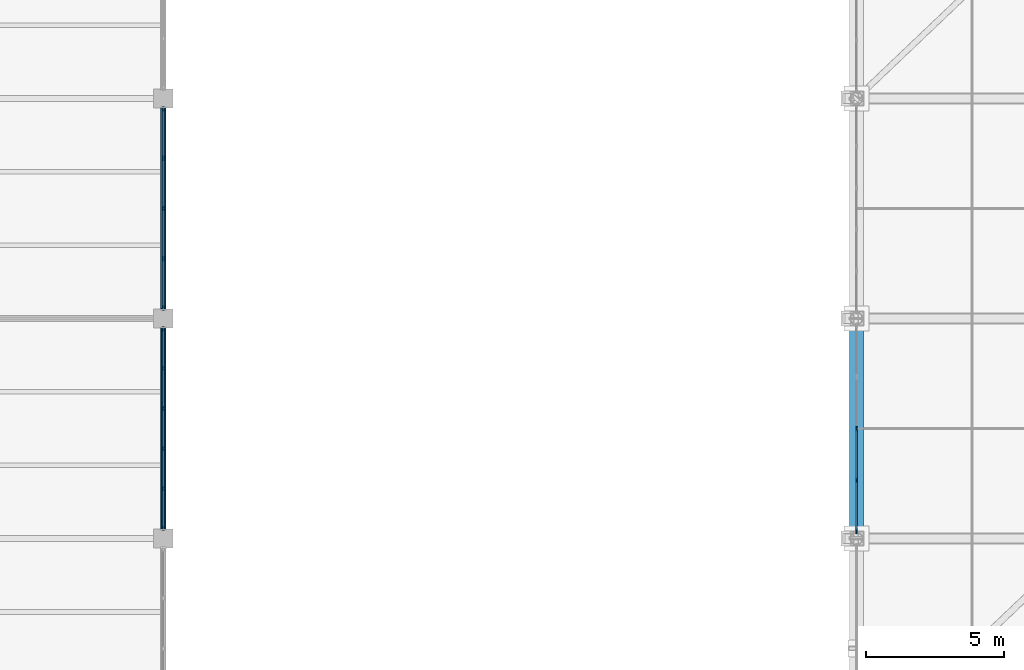
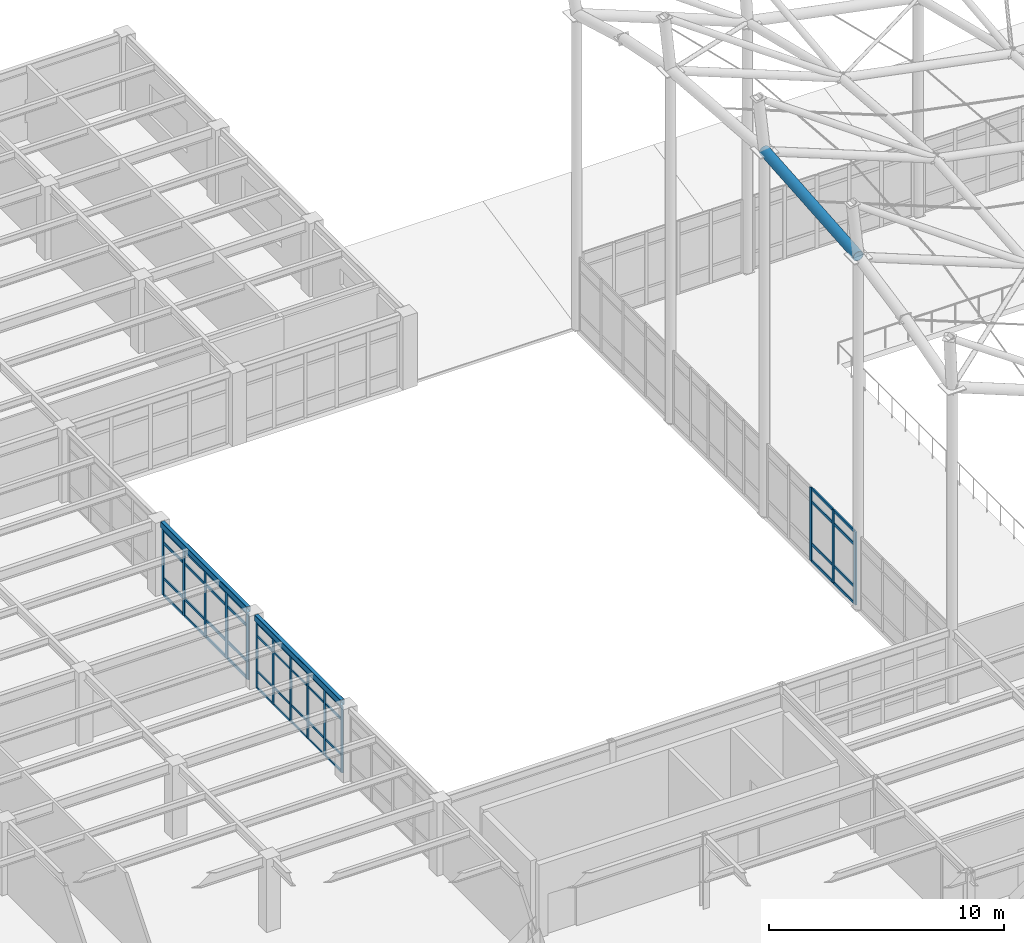
# One storey, part 38 of 138: 58 members, 3 beams, 3 elements without a shape of their own.
"""IFC4 building model written with IfcOpenShell, lengths in metres."""

from ifc_helpers import new_model, si_unit, direction, frame, origin, origin_2d, place, context, subcontext, project, spatial, rectangle, hollow_rectangle, hollow_circle, extrude, material, layer, layer_set, material_profile, profile_set, type_object, element, aggregate, save


model = new_model("IFC4")

# Units and contexts
model_context = context("Model", 3, precision=1e-05, world=origin(), true_north=direction((0.0, 1.0)))
body_context = subcontext(model_context, "Body", "Model", "MODEL_VIEW")
ifc_project = project(units=[si_unit("LENGTHUNIT", "METRE"), si_unit("AREAUNIT", "SQUARE_METRE"), si_unit("VOLUMEUNIT", "CUBIC_METRE"), si_unit("PLANEANGLEUNIT", "RADIAN"), si_unit("MASSUNIT", "GRAM", prefix="KILO")], contexts=[model_context])

# Site, building, storey
site_placement = place(None, origin())
site = spatial("IfcSite", under=ifc_project, at=site_placement, CompositionType="ELEMENT")
building_placement = place(site_placement, origin())
building = spatial("IfcBuilding", under=site, at=building_placement, Name="Kranzveld Transit Interchange", CompositionType="ELEMENT")
storey_placement = place(building_placement, frame((0.0, 0.0, 5.43994140625)))
storey = spatial("IfcBuildingStorey", under=building, at=storey_placement, Name="L01", CompositionType="ELEMENT", Elevation=5.43994140625)

# Curtain wall, members
ifc_material_1 = material(Name="Bronze-anodised thermally broken aluminium", Category="aluminium")
ifc_layer_1 = layer(ifc_material_1, 0.14990234375)
ifc_layer_set_1 = layer_set([ifc_layer_1], Name="Bronze-anodised thermally broken aluminium")
curtain_wall_type_1 = type_object("IfcCurtainWallType", Name="Public Passage Clerestory Screen CW-4", PredefinedType="USERDEFINED", material=ifc_layer_set_1)
curtain_wall_1_placement = place(storey_placement, origin())
curtain_wall_1 = element("IfcCurtainWall", 1, at=curtain_wall_1_placement, inside=storey, type_object=curtain_wall_type_1, Name="L01 Curtain Wall 05/J-05/K", ObjectType="CURTAIN WALL", PredefinedType="USERDEFINED")
ifc_material_2 = material(Name="Bronze-anodised thermally broken aluminium", Category="aluminium")
ifc_material_profile_1 = material_profile(ifc_material_2, rectangle(XDim=0.06005859375, YDim=0.14990234375, at=origin_2d()), Name="ALU MULLION 60x150")
ifc_profile_set_1 = profile_set([ifc_material_profile_1], Name="Bronze-anodised thermally broken aluminium")
member_type_1 = type_object("IfcMemberType", Name="Curtain Wall Mullion 60x150 Alu", PredefinedType="MULLION", material=ifc_profile_set_1)
member_1_placement = place(storey_placement, frame((33.60009765625, 64.3798828125, 0.0), z_axis=(0.0, 0.0, 1.0), x_axis=(-1.0, 0.0, 0.0)))
member_1 = element("IfcMember", 2, at=member_1_placement, type_object=member_type_1, Name="CW-4 mullion 1", PredefinedType="MULLION", context=body_context, shape_type="SweptSolid", body=[
    extrude(rectangle(XDim=0.06005859375, YDim=0.14990234375, at=origin_2d()), origin(), (0.0, 0.0, 1.0), 3.442138671875),
])
member_2_placement = place(storey_placement, frame((33.60009765625, 65.81005859375, 0.0), z_axis=(0.0, 0.0, 1.0), x_axis=(-1.0, 0.0, 0.0)))
member_2 = element("IfcMember", 3, at=member_2_placement, type_object=member_type_1, Name="CW-4 mullion 2", PredefinedType="MULLION", context=body_context, shape_type="SweptSolid", body=[
    extrude(rectangle(XDim=0.06005859375, YDim=0.14990234375, at=origin_2d()), origin(), (0.0, 0.0, 1.0), 3.442138671875),
])
member_3_placement = place(storey_placement, frame((33.60009765625, 67.27001953125, 0.0), z_axis=(0.0, 0.0, 1.0), x_axis=(-1.0, 0.0, 0.0)))
member_3 = element("IfcMember", 4, at=member_3_placement, type_object=member_type_1, Name="CW-4 mullion 3", PredefinedType="MULLION", context=body_context, shape_type="SweptSolid", body=[
    extrude(rectangle(XDim=0.06005859375, YDim=0.14990234375, at=origin_2d()), origin(), (0.0, 0.0, 1.0), 3.442138671875),
])
member_4_placement = place(storey_placement, frame((33.60009765625, 68.72998046875, 0.0), z_axis=(0.0, 0.0, 1.0), x_axis=(-1.0, 0.0, 0.0)))
member_4 = element("IfcMember", 5, at=member_4_placement, type_object=member_type_1, Name="CW-4 mullion 4", PredefinedType="MULLION", context=body_context, shape_type="SweptSolid", body=[
    extrude(rectangle(XDim=0.06005859375, YDim=0.14990234375, at=origin_2d()), origin(), (0.0, 0.0, 1.0), 3.442138671875),
])
member_5_placement = place(storey_placement, frame((33.60009765625, 70.18994140625, 0.0), z_axis=(0.0, 0.0, 1.0), x_axis=(-1.0, 0.0, 0.0)))
member_5 = element("IfcMember", 6, at=member_5_placement, type_object=member_type_1, Name="CW-4 mullion 5", PredefinedType="MULLION", context=body_context, shape_type="SweptSolid", body=[
    extrude(rectangle(XDim=0.06005859375, YDim=0.14990234375, at=origin_2d()), origin(), (0.0, 0.0, 1.0), 3.442138671875),
])
member_6_placement = place(storey_placement, frame((33.60009765625, 71.6201171875, 0.0), z_axis=(0.0, 0.0, 1.0), x_axis=(-1.0, 0.0, 0.0)))
member_6 = element("IfcMember", 7, at=member_6_placement, type_object=member_type_1, Name="CW-4 mullion 6", PredefinedType="MULLION", context=body_context, shape_type="SweptSolid", body=[
    extrude(rectangle(XDim=0.06005859375, YDim=0.14990234375, at=origin_2d()), origin(), (0.0, 0.0, 1.0), 3.442138671875),
])

ifc_material_3 = material(Name="Bronze-anodised thermally broken aluminium", Category="aluminium")
ifc_layer_2 = layer(ifc_material_3, 0.18505859375)
ifc_layer_set_2 = layer_set([ifc_layer_2], Name="Bronze-anodised thermally broken aluminium")
curtain_wall_type_2 = type_object("IfcCurtainWallType", Name="Control Crown Observation Facade CW-5", PredefinedType="USERDEFINED", material=ifc_layer_set_2)
curtain_wall_2_placement = place(storey_placement, origin())
curtain_wall_2 = element("IfcCurtainWall", 8, at=curtain_wall_2_placement, inside=storey, type_object=curtain_wall_type_2, Name="L01 Curtain Wall 05/K-05/L", ObjectType="CURTAIN WALL", PredefinedType="USERDEFINED")
ifc_material_4 = material(Name="Bronze-anodised thermally broken aluminium", Category="aluminium")
ifc_material_profile_2 = material_profile(ifc_material_4, rectangle(XDim=0.06494140625, YDim=0.179931640625, at=origin_2d()), Name="ALU MULLION 65x180")
ifc_profile_set_2 = profile_set([ifc_material_profile_2], Name="Bronze-anodised thermally broken aluminium")
member_type_2 = type_object("IfcMemberType", Name="Curtain Wall Mullion 65x180 Alu", PredefinedType="MULLION", material=ifc_profile_set_2)
member_7_placement = place(storey_placement, frame((33.60009765625, 72.382568359375, 0.0), z_axis=(0.0, 0.0, 1.0), x_axis=(-1.0, 0.0, 0.0)))
member_7 = element("IfcMember", 9, at=member_7_placement, type_object=member_type_2, Name="CW-5 mullion 1", PredefinedType="MULLION", context=body_context, shape_type="SweptSolid", body=[
    extrude(rectangle(XDim=0.06494140625, YDim=0.179931640625, at=origin_2d()), origin(), (0.0, 0.0, 1.0), 3.442138671875),
])
member_8_placement = place(storey_placement, frame((33.60009765625, 74.175048828125, 0.0), z_axis=(0.0, 0.0, 1.0), x_axis=(-1.0, 0.0, 0.0)))
member_8 = element("IfcMember", 10, at=member_8_placement, type_object=member_type_2, Name="CW-5 mullion 2", PredefinedType="MULLION", context=body_context, shape_type="SweptSolid", body=[
    extrude(rectangle(XDim=0.06494140625, YDim=0.179931640625, at=origin_2d()), origin(), (0.0, 0.0, 1.0), 3.442138671875),
])
member_9_placement = place(storey_placement, frame((33.60009765625, 76.0, 0.0), z_axis=(0.0, 0.0, 1.0), x_axis=(-1.0, 0.0, 0.0)))
member_9 = element("IfcMember", 11, at=member_9_placement, type_object=member_type_2, Name="CW-5 mullion 3", PredefinedType="MULLION", context=body_context, shape_type="SweptSolid", body=[
    extrude(rectangle(XDim=0.06494140625, YDim=0.179931640625, at=origin_2d()), origin(), (0.0, 0.0, 1.0), 3.442138671875),
])
member_10_placement = place(storey_placement, frame((33.60009765625, 77.824951171875, 0.0), z_axis=(0.0, 0.0, 1.0), x_axis=(-1.0, 0.0, 0.0)))
member_10 = element("IfcMember", 12, at=member_10_placement, type_object=member_type_2, Name="CW-5 mullion 4", PredefinedType="MULLION", context=body_context, shape_type="SweptSolid", body=[
    extrude(rectangle(XDim=0.06494140625, YDim=0.179931640625, at=origin_2d()), origin(), (0.0, 0.0, 1.0), 3.442138671875),
])
member_11_placement = place(storey_placement, frame((33.60009765625, 79.617431640625, 0.0), z_axis=(0.0, 0.0, 1.0), x_axis=(-1.0, 0.0, 0.0)))
member_11 = element("IfcMember", 13, at=member_11_placement, type_object=member_type_2, Name="CW-5 mullion 5", PredefinedType="MULLION", context=body_context, shape_type="SweptSolid", body=[
    extrude(rectangle(XDim=0.06494140625, YDim=0.179931640625, at=origin_2d()), origin(), (0.0, 0.0, 1.0), 3.442138671875),
])

ifc_material_5 = material(Name="Bronze-anodised thermally broken aluminium", Category="aluminium")
ifc_layer_3 = layer(ifc_material_5, 0.179931640625)
ifc_layer_set_3 = layer_set([ifc_layer_3], Name="Bronze-anodised thermally broken aluminium")
curtain_wall_type_3 = type_object("IfcCurtainWallType", Name="Concourse Unitised Curtain Wall CW-1", PredefinedType="USERDEFINED", material=ifc_layer_set_3)
curtain_wall_3_placement = place(storey_placement, origin())
curtain_wall_3 = element("IfcCurtainWall", 14, at=curtain_wall_3_placement, inside=storey, type_object=curtain_wall_type_3, Name="L01 Curtain Wall 08/J-08/K", ObjectType="CURTAIN WALL", PredefinedType="USERDEFINED")
member_12_placement = place(storey_placement, frame((58.800048828125, 64.260986328125, 0.0), z_axis=(0.0, 0.0, 1.0), x_axis=(-1.0, 0.0, 0.0)))
member_12 = element("IfcMember", 15, at=member_12_placement, type_object=member_type_2, Name="CW-1 mullion 1", PredefinedType="MULLION", context=body_context, shape_type="SweptSolid", body=[
    extrude(rectangle(XDim=0.06494140625, YDim=0.179931640625, at=origin_2d()), origin(), (0.0, 0.0, 1.0), 3.800048828125),
])
member_13_placement = place(storey_placement, frame((58.800048828125, 66.1142578125, 0.0), z_axis=(0.0, 0.0, 1.0), x_axis=(-1.0, 0.0, 0.0)))
member_13 = element("IfcMember", 16, at=member_13_placement, type_object=member_type_2, Name="CW-1 mullion 2", PredefinedType="MULLION", context=body_context, shape_type="SweptSolid", body=[
    extrude(rectangle(XDim=0.06494140625, YDim=0.179931640625, at=origin_2d()), origin(), (0.0, 0.0, 1.0), 3.800048828125),
])
member_14_placement = place(storey_placement, frame((58.800048828125, 68.0, 0.0), z_axis=(0.0, 0.0, 1.0), x_axis=(-1.0, 0.0, 0.0)))
member_14 = element("IfcMember", 17, at=member_14_placement, type_object=member_type_2, Name="CW-1 mullion 3", PredefinedType="MULLION", context=body_context, shape_type="SweptSolid", body=[
    extrude(rectangle(XDim=0.06494140625, YDim=0.179931640625, at=origin_2d()), origin(), (0.0, 0.0, 1.0), 3.800048828125),
])

# Member
ifc_material_6 = material(Name="Bronze-anodised thermally broken aluminium", Category="aluminium")
ifc_material_profile_3 = material_profile(ifc_material_6, rectangle(XDim=0.06005859375, YDim=0.110107421875, at=origin_2d()), Name="ALU TRANSOM 60x110")
ifc_profile_set_3 = profile_set([ifc_material_profile_3], Name="Bronze-anodised thermally broken aluminium")
member_type_3 = type_object("IfcMemberType", Name="Curtain Wall Transom 60x110 Alu", PredefinedType="USERDEFINED", material=ifc_profile_set_3)
member_15_placement = place(storey_placement, frame((33.60009765625, 64.409912109375, 0.030029296875), z_axis=(0.0, 1.0, 0.0), x_axis=(-1.0, 0.0, 0.0)))
member_15 = element("IfcMember", 18, at=member_15_placement, type_object=member_type_3, Name="CW-4 transom 1.1", ObjectType="TRANSOM", PredefinedType="USERDEFINED", context=body_context, shape_type="SweptSolid", body=[
    extrude(rectangle(XDim=0.06005859375, YDim=0.110107421875, at=origin_2d()), origin(), (0.0, 0.0, 1.0), 1.3701171875),
])

member_16_placement = place(storey_placement, frame((33.60009765625, 64.409912109375, 0.900146484375), z_axis=(0.0, 1.0, 0.0), x_axis=(-1.0, 0.0, 0.0)))
member_16 = element("IfcMember", 19, at=member_16_placement, type_object=member_type_3, Name="CW-4 transom 1.2", ObjectType="TRANSOM", PredefinedType="USERDEFINED", context=body_context, shape_type="SweptSolid", body=[
    extrude(rectangle(XDim=0.06005859375, YDim=0.110107421875, at=origin_2d()), origin(), (0.0, 0.0, 1.0), 1.3701171875),
])

member_17_placement = place(storey_placement, frame((33.60009765625, 64.409912109375, 2.741943359375), z_axis=(0.0, 1.0, 0.0), x_axis=(-1.0, 0.0, 0.0)))
member_17 = element("IfcMember", 20, at=member_17_placement, type_object=member_type_3, Name="CW-4 transom 1.3", ObjectType="TRANSOM", PredefinedType="USERDEFINED", context=body_context, shape_type="SweptSolid", body=[
    extrude(rectangle(XDim=0.06005859375, YDim=0.110107421875, at=origin_2d()), origin(), (0.0, 0.0, 1.0), 1.3701171875),
])

member_18_placement = place(storey_placement, frame((33.60009765625, 64.409912109375, 3.412109375), z_axis=(0.0, 1.0, 0.0), x_axis=(-1.0, 0.0, 0.0)))
member_18 = element("IfcMember", 21, at=member_18_placement, type_object=member_type_3, Name="CW-4 transom 1.4", ObjectType="TRANSOM", PredefinedType="USERDEFINED", context=body_context, shape_type="SweptSolid", body=[
    extrude(rectangle(XDim=0.06005859375, YDim=0.110107421875, at=origin_2d()), origin(), (0.0, 0.0, 1.0), 1.3701171875),
])

member_19_placement = place(storey_placement, frame((33.60009765625, 65.840087890625, 0.030029296875), z_axis=(0.0, 1.0, 0.0), x_axis=(-1.0, 0.0, 0.0)))
member_19 = element("IfcMember", 22, at=member_19_placement, type_object=member_type_3, Name="CW-4 transom 2.1", ObjectType="TRANSOM", PredefinedType="USERDEFINED", context=body_context, shape_type="SweptSolid", body=[
    extrude(rectangle(XDim=0.06005859375, YDim=0.110107421875, at=origin_2d()), origin(), (0.0, 0.0, 1.0), 1.39990234375),
])

member_20_placement = place(storey_placement, frame((33.60009765625, 65.840087890625, 0.900146484375), z_axis=(0.0, 1.0, 0.0), x_axis=(-1.0, 0.0, 0.0)))
member_20 = element("IfcMember", 23, at=member_20_placement, type_object=member_type_3, Name="CW-4 transom 2.2", ObjectType="TRANSOM", PredefinedType="USERDEFINED", context=body_context, shape_type="SweptSolid", body=[
    extrude(rectangle(XDim=0.06005859375, YDim=0.110107421875, at=origin_2d()), origin(), (0.0, 0.0, 1.0), 1.39990234375),
])

member_21_placement = place(storey_placement, frame((33.60009765625, 65.840087890625, 2.741943359375), z_axis=(0.0, 1.0, 0.0), x_axis=(-1.0, 0.0, 0.0)))
member_21 = element("IfcMember", 24, at=member_21_placement, type_object=member_type_3, Name="CW-4 transom 2.3", ObjectType="TRANSOM", PredefinedType="USERDEFINED", context=body_context, shape_type="SweptSolid", body=[
    extrude(rectangle(XDim=0.06005859375, YDim=0.110107421875, at=origin_2d()), origin(), (0.0, 0.0, 1.0), 1.39990234375),
])

member_22_placement = place(storey_placement, frame((33.60009765625, 65.840087890625, 3.412109375), z_axis=(0.0, 1.0, 0.0), x_axis=(-1.0, 0.0, 0.0)))
member_22 = element("IfcMember", 25, at=member_22_placement, type_object=member_type_3, Name="CW-4 transom 2.4", ObjectType="TRANSOM", PredefinedType="USERDEFINED", context=body_context, shape_type="SweptSolid", body=[
    extrude(rectangle(XDim=0.06005859375, YDim=0.110107421875, at=origin_2d()), origin(), (0.0, 0.0, 1.0), 1.39990234375),
])

member_23_placement = place(storey_placement, frame((33.60009765625, 67.300048828125, 0.030029296875), z_axis=(0.0, 1.0, 0.0), x_axis=(-1.0, 0.0, 0.0)))
member_23 = element("IfcMember", 26, at=member_23_placement, type_object=member_type_3, Name="CW-4 transom 3.1", ObjectType="TRANSOM", PredefinedType="USERDEFINED", context=body_context, shape_type="SweptSolid", body=[
    extrude(rectangle(XDim=0.06005859375, YDim=0.110107421875, at=origin_2d()), origin(), (0.0, 0.0, 1.0), 1.39990234375),
])

member_24_placement = place(storey_placement, frame((33.60009765625, 67.300048828125, 0.900146484375), z_axis=(0.0, 1.0, 0.0), x_axis=(-1.0, 0.0, 0.0)))
member_24 = element("IfcMember", 27, at=member_24_placement, type_object=member_type_3, Name="CW-4 transom 3.2", ObjectType="TRANSOM", PredefinedType="USERDEFINED", context=body_context, shape_type="SweptSolid", body=[
    extrude(rectangle(XDim=0.06005859375, YDim=0.110107421875, at=origin_2d()), origin(), (0.0, 0.0, 1.0), 1.39990234375),
])

member_25_placement = place(storey_placement, frame((33.60009765625, 67.300048828125, 2.741943359375), z_axis=(0.0, 1.0, 0.0), x_axis=(-1.0, 0.0, 0.0)))
member_25 = element("IfcMember", 28, at=member_25_placement, type_object=member_type_3, Name="CW-4 transom 3.3", ObjectType="TRANSOM", PredefinedType="USERDEFINED", context=body_context, shape_type="SweptSolid", body=[
    extrude(rectangle(XDim=0.06005859375, YDim=0.110107421875, at=origin_2d()), origin(), (0.0, 0.0, 1.0), 1.39990234375),
])

member_26_placement = place(storey_placement, frame((33.60009765625, 67.300048828125, 3.412109375), z_axis=(0.0, 1.0, 0.0), x_axis=(-1.0, 0.0, 0.0)))
member_26 = element("IfcMember", 29, at=member_26_placement, type_object=member_type_3, Name="CW-4 transom 3.4", ObjectType="TRANSOM", PredefinedType="USERDEFINED", context=body_context, shape_type="SweptSolid", body=[
    extrude(rectangle(XDim=0.06005859375, YDim=0.110107421875, at=origin_2d()), origin(), (0.0, 0.0, 1.0), 1.39990234375),
])

member_27_placement = place(storey_placement, frame((33.60009765625, 68.760009765625, 0.030029296875), z_axis=(0.0, 1.0, 0.0), x_axis=(-1.0, 0.0, 0.0)))
member_27 = element("IfcMember", 30, at=member_27_placement, type_object=member_type_3, Name="CW-4 transom 4.1", ObjectType="TRANSOM", PredefinedType="USERDEFINED", context=body_context, shape_type="SweptSolid", body=[
    extrude(rectangle(XDim=0.06005859375, YDim=0.110107421875, at=origin_2d()), origin(), (0.0, 0.0, 1.0), 1.39990234375),
])

member_28_placement = place(storey_placement, frame((33.60009765625, 68.760009765625, 0.900146484375), z_axis=(0.0, 1.0, 0.0), x_axis=(-1.0, 0.0, 0.0)))
member_28 = element("IfcMember", 31, at=member_28_placement, type_object=member_type_3, Name="CW-4 transom 4.2", ObjectType="TRANSOM", PredefinedType="USERDEFINED", context=body_context, shape_type="SweptSolid", body=[
    extrude(rectangle(XDim=0.06005859375, YDim=0.110107421875, at=origin_2d()), origin(), (0.0, 0.0, 1.0), 1.39990234375),
])

member_29_placement = place(storey_placement, frame((33.60009765625, 68.760009765625, 2.741943359375), z_axis=(0.0, 1.0, 0.0), x_axis=(-1.0, 0.0, 0.0)))
member_29 = element("IfcMember", 32, at=member_29_placement, type_object=member_type_3, Name="CW-4 transom 4.3", ObjectType="TRANSOM", PredefinedType="USERDEFINED", context=body_context, shape_type="SweptSolid", body=[
    extrude(rectangle(XDim=0.06005859375, YDim=0.110107421875, at=origin_2d()), origin(), (0.0, 0.0, 1.0), 1.39990234375),
])

member_30_placement = place(storey_placement, frame((33.60009765625, 68.760009765625, 3.412109375), z_axis=(0.0, 1.0, 0.0), x_axis=(-1.0, 0.0, 0.0)))
member_30 = element("IfcMember", 33, at=member_30_placement, type_object=member_type_3, Name="CW-4 transom 4.4", ObjectType="TRANSOM", PredefinedType="USERDEFINED", context=body_context, shape_type="SweptSolid", body=[
    extrude(rectangle(XDim=0.06005859375, YDim=0.110107421875, at=origin_2d()), origin(), (0.0, 0.0, 1.0), 1.39990234375),
])

member_31_placement = place(storey_placement, frame((33.60009765625, 70.219970703125, 0.030029296875), z_axis=(0.0, 1.0, 0.0), x_axis=(-1.0, 0.0, 0.0)))
member_31 = element("IfcMember", 34, at=member_31_placement, type_object=member_type_3, Name="CW-4 transom 5.1", ObjectType="TRANSOM", PredefinedType="USERDEFINED", context=body_context, shape_type="SweptSolid", body=[
    extrude(rectangle(XDim=0.06005859375, YDim=0.110107421875, at=origin_2d()), origin(), (0.0, 0.0, 1.0), 1.3701171875),
])

member_32_placement = place(storey_placement, frame((33.60009765625, 70.219970703125, 0.900146484375), z_axis=(0.0, 1.0, 0.0), x_axis=(-1.0, 0.0, 0.0)))
member_32 = element("IfcMember", 35, at=member_32_placement, type_object=member_type_3, Name="CW-4 transom 5.2", ObjectType="TRANSOM", PredefinedType="USERDEFINED", context=body_context, shape_type="SweptSolid", body=[
    extrude(rectangle(XDim=0.06005859375, YDim=0.110107421875, at=origin_2d()), origin(), (0.0, 0.0, 1.0), 1.3701171875),
])

member_33_placement = place(storey_placement, frame((33.60009765625, 70.219970703125, 2.741943359375), z_axis=(0.0, 1.0, 0.0), x_axis=(-1.0, 0.0, 0.0)))
member_33 = element("IfcMember", 36, at=member_33_placement, type_object=member_type_3, Name="CW-4 transom 5.3", ObjectType="TRANSOM", PredefinedType="USERDEFINED", context=body_context, shape_type="SweptSolid", body=[
    extrude(rectangle(XDim=0.06005859375, YDim=0.110107421875, at=origin_2d()), origin(), (0.0, 0.0, 1.0), 1.3701171875),
])

member_34_placement = place(storey_placement, frame((33.60009765625, 70.219970703125, 3.412109375), z_axis=(0.0, 1.0, 0.0), x_axis=(-1.0, 0.0, 0.0)))
member_34 = element("IfcMember", 37, at=member_34_placement, type_object=member_type_3, Name="CW-4 transom 5.4", ObjectType="TRANSOM", PredefinedType="USERDEFINED", context=body_context, shape_type="SweptSolid", body=[
    extrude(rectangle(XDim=0.06005859375, YDim=0.110107421875, at=origin_2d()), origin(), (0.0, 0.0, 1.0), 1.3701171875),
])

aggregate(curtain_wall_1, [member_1, member_2, member_3, member_4, member_5, member_6, member_15, member_16, member_17, member_18, member_19, member_20, member_21, member_22, member_23, member_24, member_25, member_26, member_27, member_28, member_29, member_30, member_31, member_32, member_33, member_34])

ifc_material_7 = material(Name="Bronze-anodised thermally broken aluminium", Category="aluminium")
ifc_material_profile_4 = material_profile(ifc_material_7, rectangle(XDim=0.06494140625, YDim=0.139892578125, at=origin_2d()), Name="ALU TRANSOM 65x140")
ifc_profile_set_4 = profile_set([ifc_material_profile_4], Name="Bronze-anodised thermally broken aluminium")
member_type_4 = type_object("IfcMemberType", Name="Curtain Wall Transom 65x140 Alu", PredefinedType="USERDEFINED", material=ifc_profile_set_4)
member_35_placement = place(storey_placement, frame((33.60009765625, 72.4150390625, 0.032470703125), z_axis=(0.0, 1.0, 0.0), x_axis=(-1.0, 0.0, 0.0)))
member_35 = element("IfcMember", 38, at=member_35_placement, type_object=member_type_4, Name="CW-5 transom 1.1", ObjectType="TRANSOM", PredefinedType="USERDEFINED", context=body_context, shape_type="SweptSolid", body=[
    extrude(rectangle(XDim=0.06494140625, YDim=0.139892578125, at=origin_2d()), origin(), (0.0, 0.0, 1.0), 1.7275390625),
])

member_36_placement = place(storey_placement, frame((33.60009765625, 72.4150390625, 0.900146484375), z_axis=(0.0, 1.0, 0.0), x_axis=(-1.0, 0.0, 0.0)))
member_36 = element("IfcMember", 39, at=member_36_placement, type_object=member_type_4, Name="CW-5 transom 1.2", ObjectType="TRANSOM", PredefinedType="USERDEFINED", context=body_context, shape_type="SweptSolid", body=[
    extrude(rectangle(XDim=0.06494140625, YDim=0.139892578125, at=origin_2d()), origin(), (0.0, 0.0, 1.0), 1.7275390625),
])

member_37_placement = place(storey_placement, frame((33.60009765625, 72.4150390625, 2.741943359375), z_axis=(0.0, 1.0, 0.0), x_axis=(-1.0, 0.0, 0.0)))
member_37 = element("IfcMember", 40, at=member_37_placement, type_object=member_type_4, Name="CW-5 transom 1.3", ObjectType="TRANSOM", PredefinedType="USERDEFINED", context=body_context, shape_type="SweptSolid", body=[
    extrude(rectangle(XDim=0.06494140625, YDim=0.139892578125, at=origin_2d()), origin(), (0.0, 0.0, 1.0), 1.7275390625),
])

member_38_placement = place(storey_placement, frame((33.60009765625, 72.4150390625, 3.40966796875), z_axis=(0.0, 1.0, 0.0), x_axis=(-1.0, 0.0, 0.0)))
member_38 = element("IfcMember", 41, at=member_38_placement, type_object=member_type_4, Name="CW-5 transom 1.4", ObjectType="TRANSOM", PredefinedType="USERDEFINED", context=body_context, shape_type="SweptSolid", body=[
    extrude(rectangle(XDim=0.06494140625, YDim=0.139892578125, at=origin_2d()), origin(), (0.0, 0.0, 1.0), 1.7275390625),
])

member_39_placement = place(storey_placement, frame((33.60009765625, 74.20751953125, 0.032470703125), z_axis=(0.0, 1.0, 0.0), x_axis=(-1.0, 0.0, 0.0)))
member_39 = element("IfcMember", 42, at=member_39_placement, type_object=member_type_4, Name="CW-5 transom 2.1", ObjectType="TRANSOM", PredefinedType="USERDEFINED", context=body_context, shape_type="SweptSolid", body=[
    extrude(rectangle(XDim=0.06494140625, YDim=0.139892578125, at=origin_2d()), origin(), (0.0, 0.0, 1.0), 1.760009765625),
])

member_40_placement = place(storey_placement, frame((33.60009765625, 74.20751953125, 0.900146484375), z_axis=(0.0, 1.0, 0.0), x_axis=(-1.0, 0.0, 0.0)))
member_40 = element("IfcMember", 43, at=member_40_placement, type_object=member_type_4, Name="CW-5 transom 2.2", ObjectType="TRANSOM", PredefinedType="USERDEFINED", context=body_context, shape_type="SweptSolid", body=[
    extrude(rectangle(XDim=0.06494140625, YDim=0.139892578125, at=origin_2d()), origin(), (0.0, 0.0, 1.0), 1.760009765625),
])

member_41_placement = place(storey_placement, frame((33.60009765625, 74.20751953125, 2.741943359375), z_axis=(0.0, 1.0, 0.0), x_axis=(-1.0, 0.0, 0.0)))
member_41 = element("IfcMember", 44, at=member_41_placement, type_object=member_type_4, Name="CW-5 transom 2.3", ObjectType="TRANSOM", PredefinedType="USERDEFINED", context=body_context, shape_type="SweptSolid", body=[
    extrude(rectangle(XDim=0.06494140625, YDim=0.139892578125, at=origin_2d()), origin(), (0.0, 0.0, 1.0), 1.760009765625),
])

member_42_placement = place(storey_placement, frame((33.60009765625, 74.20751953125, 3.40966796875), z_axis=(0.0, 1.0, 0.0), x_axis=(-1.0, 0.0, 0.0)))
member_42 = element("IfcMember", 45, at=member_42_placement, type_object=member_type_4, Name="CW-5 transom 2.4", ObjectType="TRANSOM", PredefinedType="USERDEFINED", context=body_context, shape_type="SweptSolid", body=[
    extrude(rectangle(XDim=0.06494140625, YDim=0.139892578125, at=origin_2d()), origin(), (0.0, 0.0, 1.0), 1.760009765625),
])

member_43_placement = place(storey_placement, frame((33.60009765625, 76.032470703125, 0.032470703125), z_axis=(0.0, 1.0, 0.0), x_axis=(-1.0, 0.0, 0.0)))
member_43 = element("IfcMember", 46, at=member_43_placement, type_object=member_type_4, Name="CW-5 transom 3.1", ObjectType="TRANSOM", PredefinedType="USERDEFINED", context=body_context, shape_type="SweptSolid", body=[
    extrude(rectangle(XDim=0.06494140625, YDim=0.139892578125, at=origin_2d()), origin(), (0.0, 0.0, 1.0), 1.760009765625),
])

member_44_placement = place(storey_placement, frame((33.60009765625, 76.032470703125, 0.900146484375), z_axis=(0.0, 1.0, 0.0), x_axis=(-1.0, 0.0, 0.0)))
member_44 = element("IfcMember", 47, at=member_44_placement, type_object=member_type_4, Name="CW-5 transom 3.2", ObjectType="TRANSOM", PredefinedType="USERDEFINED", context=body_context, shape_type="SweptSolid", body=[
    extrude(rectangle(XDim=0.06494140625, YDim=0.139892578125, at=origin_2d()), origin(), (0.0, 0.0, 1.0), 1.760009765625),
])

member_45_placement = place(storey_placement, frame((33.60009765625, 76.032470703125, 2.741943359375), z_axis=(0.0, 1.0, 0.0), x_axis=(-1.0, 0.0, 0.0)))
member_45 = element("IfcMember", 48, at=member_45_placement, type_object=member_type_4, Name="CW-5 transom 3.3", ObjectType="TRANSOM", PredefinedType="USERDEFINED", context=body_context, shape_type="SweptSolid", body=[
    extrude(rectangle(XDim=0.06494140625, YDim=0.139892578125, at=origin_2d()), origin(), (0.0, 0.0, 1.0), 1.760009765625),
])

member_46_placement = place(storey_placement, frame((33.60009765625, 76.032470703125, 3.40966796875), z_axis=(0.0, 1.0, 0.0), x_axis=(-1.0, 0.0, 0.0)))
member_46 = element("IfcMember", 49, at=member_46_placement, type_object=member_type_4, Name="CW-5 transom 3.4", ObjectType="TRANSOM", PredefinedType="USERDEFINED", context=body_context, shape_type="SweptSolid", body=[
    extrude(rectangle(XDim=0.06494140625, YDim=0.139892578125, at=origin_2d()), origin(), (0.0, 0.0, 1.0), 1.760009765625),
])

member_47_placement = place(storey_placement, frame((33.60009765625, 77.857421875, 0.032470703125), z_axis=(0.0, 1.0, 0.0), x_axis=(-1.0, 0.0, 0.0)))
member_47 = element("IfcMember", 50, at=member_47_placement, type_object=member_type_4, Name="CW-5 transom 4.1", ObjectType="TRANSOM", PredefinedType="USERDEFINED", context=body_context, shape_type="SweptSolid", body=[
    extrude(rectangle(XDim=0.06494140625, YDim=0.139892578125, at=origin_2d()), origin(), (0.0, 0.0, 1.0), 1.7275390625),
])

member_48_placement = place(storey_placement, frame((33.60009765625, 77.857421875, 0.900146484375), z_axis=(0.0, 1.0, 0.0), x_axis=(-1.0, 0.0, 0.0)))
member_48 = element("IfcMember", 51, at=member_48_placement, type_object=member_type_4, Name="CW-5 transom 4.2", ObjectType="TRANSOM", PredefinedType="USERDEFINED", context=body_context, shape_type="SweptSolid", body=[
    extrude(rectangle(XDim=0.06494140625, YDim=0.139892578125, at=origin_2d()), origin(), (0.0, 0.0, 1.0), 1.7275390625),
])

member_49_placement = place(storey_placement, frame((33.60009765625, 77.857421875, 2.741943359375), z_axis=(0.0, 1.0, 0.0), x_axis=(-1.0, 0.0, 0.0)))
member_49 = element("IfcMember", 52, at=member_49_placement, type_object=member_type_4, Name="CW-5 transom 4.3", ObjectType="TRANSOM", PredefinedType="USERDEFINED", context=body_context, shape_type="SweptSolid", body=[
    extrude(rectangle(XDim=0.06494140625, YDim=0.139892578125, at=origin_2d()), origin(), (0.0, 0.0, 1.0), 1.7275390625),
])

member_50_placement = place(storey_placement, frame((33.60009765625, 77.857421875, 3.40966796875), z_axis=(0.0, 1.0, 0.0), x_axis=(-1.0, 0.0, 0.0)))
member_50 = element("IfcMember", 53, at=member_50_placement, type_object=member_type_4, Name="CW-5 transom 4.4", ObjectType="TRANSOM", PredefinedType="USERDEFINED", context=body_context, shape_type="SweptSolid", body=[
    extrude(rectangle(XDim=0.06494140625, YDim=0.139892578125, at=origin_2d()), origin(), (0.0, 0.0, 1.0), 1.7275390625),
])

aggregate(curtain_wall_2, [member_7, member_8, member_9, member_10, member_11, member_35, member_36, member_37, member_38, member_39, member_40, member_41, member_42, member_43, member_44, member_45, member_46, member_47, member_48, member_49, member_50])

member_51_placement = place(storey_placement, frame((58.800048828125, 64.29345703125, 0.032470703125), z_axis=(0.0, 1.0, 0.0), x_axis=(-1.0, 0.0, 0.0)))
member_51 = element("IfcMember", 54, at=member_51_placement, type_object=member_type_4, Name="CW-1 transom 1.1", ObjectType="TRANSOM", PredefinedType="USERDEFINED", context=body_context, shape_type="SweptSolid", body=[
    extrude(rectangle(XDim=0.06494140625, YDim=0.139892578125, at=origin_2d()), origin(), (0.0, 0.0, 1.0), 1.788330078125),
])

member_52_placement = place(storey_placement, frame((58.800048828125, 64.29345703125, 0.900146484375), z_axis=(0.0, 1.0, 0.0), x_axis=(-1.0, 0.0, 0.0)))
member_52 = element("IfcMember", 55, at=member_52_placement, type_object=member_type_4, Name="CW-1 transom 1.2", ObjectType="TRANSOM", PredefinedType="USERDEFINED", context=body_context, shape_type="SweptSolid", body=[
    extrude(rectangle(XDim=0.06494140625, YDim=0.139892578125, at=origin_2d()), origin(), (0.0, 0.0, 1.0), 1.788330078125),
])

member_53_placement = place(storey_placement, frame((58.800048828125, 64.29345703125, 3.10009765625), z_axis=(0.0, 1.0, 0.0), x_axis=(-1.0, 0.0, 0.0)))
member_53 = element("IfcMember", 56, at=member_53_placement, type_object=member_type_4, Name="CW-1 transom 1.3", ObjectType="TRANSOM", PredefinedType="USERDEFINED", context=body_context, shape_type="SweptSolid", body=[
    extrude(rectangle(XDim=0.06494140625, YDim=0.139892578125, at=origin_2d()), origin(), (0.0, 0.0, 1.0), 1.788330078125),
])

member_54_placement = place(storey_placement, frame((58.800048828125, 64.29345703125, 3.767578125), z_axis=(0.0, 1.0, 0.0), x_axis=(-1.0, 0.0, 0.0)))
member_54 = element("IfcMember", 57, at=member_54_placement, type_object=member_type_4, Name="CW-1 transom 1.4", ObjectType="TRANSOM", PredefinedType="USERDEFINED", context=body_context, shape_type="SweptSolid", body=[
    extrude(rectangle(XDim=0.06494140625, YDim=0.139892578125, at=origin_2d()), origin(), (0.0, 0.0, 1.0), 1.788330078125),
])

member_55_placement = place(storey_placement, frame((58.800048828125, 66.146728515625, 0.032470703125), z_axis=(0.0, 1.0, 0.0), x_axis=(-1.0, 0.0, 0.0)))
member_55 = element("IfcMember", 58, at=member_55_placement, type_object=member_type_4, Name="CW-1 transom 2.1", ObjectType="TRANSOM", PredefinedType="USERDEFINED", context=body_context, shape_type="SweptSolid", body=[
    extrude(rectangle(XDim=0.06494140625, YDim=0.139892578125, at=origin_2d()), origin(), (0.0, 0.0, 1.0), 1.82080078125),
])

member_56_placement = place(storey_placement, frame((58.800048828125, 66.146728515625, 0.900146484375), z_axis=(0.0, 1.0, 0.0), x_axis=(-1.0, 0.0, 0.0)))
member_56 = element("IfcMember", 59, at=member_56_placement, type_object=member_type_4, Name="CW-1 transom 2.2", ObjectType="TRANSOM", PredefinedType="USERDEFINED", context=body_context, shape_type="SweptSolid", body=[
    extrude(rectangle(XDim=0.06494140625, YDim=0.139892578125, at=origin_2d()), origin(), (0.0, 0.0, 1.0), 1.82080078125),
])

member_57_placement = place(storey_placement, frame((58.800048828125, 66.146728515625, 3.10009765625), z_axis=(0.0, 1.0, 0.0), x_axis=(-1.0, 0.0, 0.0)))
member_57 = element("IfcMember", 60, at=member_57_placement, type_object=member_type_4, Name="CW-1 transom 2.3", ObjectType="TRANSOM", PredefinedType="USERDEFINED", context=body_context, shape_type="SweptSolid", body=[
    extrude(rectangle(XDim=0.06494140625, YDim=0.139892578125, at=origin_2d()), origin(), (0.0, 0.0, 1.0), 1.82080078125),
])

member_58_placement = place(storey_placement, frame((58.800048828125, 66.146728515625, 3.767578125), z_axis=(0.0, 1.0, 0.0), x_axis=(-1.0, 0.0, 0.0)))
member_58 = element("IfcMember", 61, at=member_58_placement, type_object=member_type_4, Name="CW-1 transom 2.4", ObjectType="TRANSOM", PredefinedType="USERDEFINED", context=body_context, shape_type="SweptSolid", body=[
    extrude(rectangle(XDim=0.06494140625, YDim=0.139892578125, at=origin_2d()), origin(), (0.0, 0.0, 1.0), 1.82080078125),
])

aggregate(curtain_wall_3, [member_12, member_13, member_14, member_51, member_52, member_53, member_54, member_55, member_56, member_57, member_58])

# Beams
ifc_material_8 = material(Name="Steel S355JR", Category="steel")
ifc_material_profile_5 = material_profile(ifc_material_8, hollow_rectangle(XDim=0.199951171875, YDim=0.300048828125, WallThickness=0.010009765625, InnerFilletRadius=0.014892578125, OuterFilletRadius=0.02490234375, at=origin_2d()), Name="RHS 300x200x10")
ifc_profile_set_5 = profile_set([ifc_material_profile_5], Name="Steel S355JR")
beam_type_1 = type_object("IfcBeamType", Name="Edge Spandrel RHS 300x200x10 S355JR", PredefinedType="SPANDREL", material=ifc_profile_set_5)
for number, where, z_axis, x_axis, name in (
    (62, (33.60009765625, 64.340087890625, 3.650146484375), (0.0, 1.0, 0.0), (-1.0, 0.0, 0.0), "L01 Girder 05/J-K"),
    (63, (33.60009765625, 72.340087890625, 3.650146484375), (0.0, 1.0, 0.0), (-1.0, 0.0, 0.0), "L01 Girder 05/K-L"),
):
    element("IfcBeam", number, at=place(storey_placement, frame(where, z_axis=z_axis, x_axis=x_axis)), inside=storey, type_object=beam_type_1, Name=name, PredefinedType="SPANDREL", context=body_context, shape_type="SweptSolid", body=[
        extrude(hollow_rectangle(XDim=0.199951171875, YDim=0.300048828125, WallThickness=0.010009765625, InnerFilletRadius=0.014892578125, OuterFilletRadius=0.02490234375, at=origin_2d()), origin(), (0.0, 0.0, 1.0), 7.31982421875),
    ])
ifc_material_9 = material(Name="Steel S355JR", Category="steel")
ifc_material_profile_6 = material_profile(ifc_material_9, hollow_circle(Radius=0.25390625, WallThickness=0.02001953125, at=origin_2d()), Name="CHS 508x20")
ifc_profile_set_6 = profile_set([ifc_material_profile_6], Name="Steel S355JR")
beam_type_2 = type_object("IfcBeamType", Name="Ring Beam Steel CHS 508x20 S355JR", PredefinedType="BEAM", material=ifc_profile_set_6)
beam_placement = place(storey_placement, frame((58.800048828125, 72.0, 18.91015625), z_axis=(0.0, -0.996713998812, -0.081001262782), x_axis=(1.0, 0.0, 0.0)))
element("IfcBeam", 64, at=beam_placement, inside=storey, type_object=beam_type_2, Name="Saddle Compression Ring Chord 08K-08J", PredefinedType="BEAM", context=body_context, shape_type="SweptSolid", body=[
    extrude(hollow_circle(Radius=0.25390625, WallThickness=0.02001953125, at=origin_2d()), origin(), (0.0, 0.0, 1.0), 8.0263671875),
])

save(model, "model.ifc")
